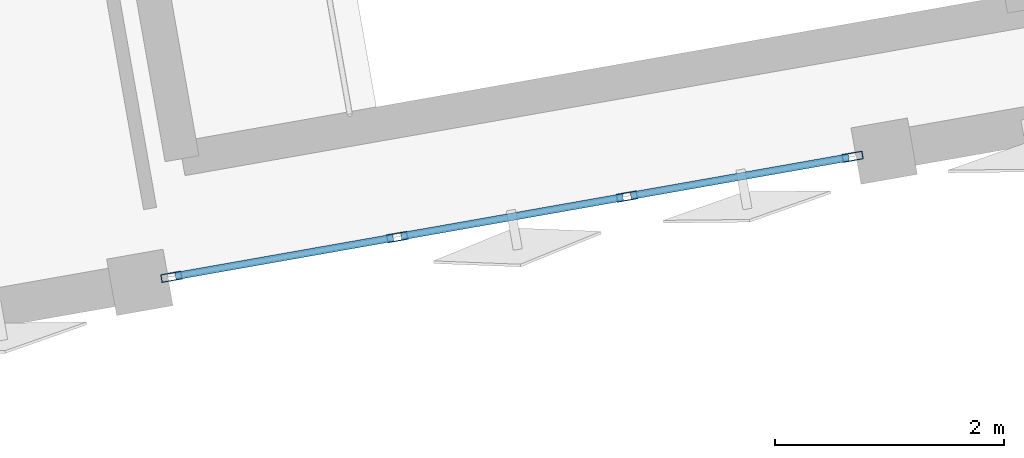
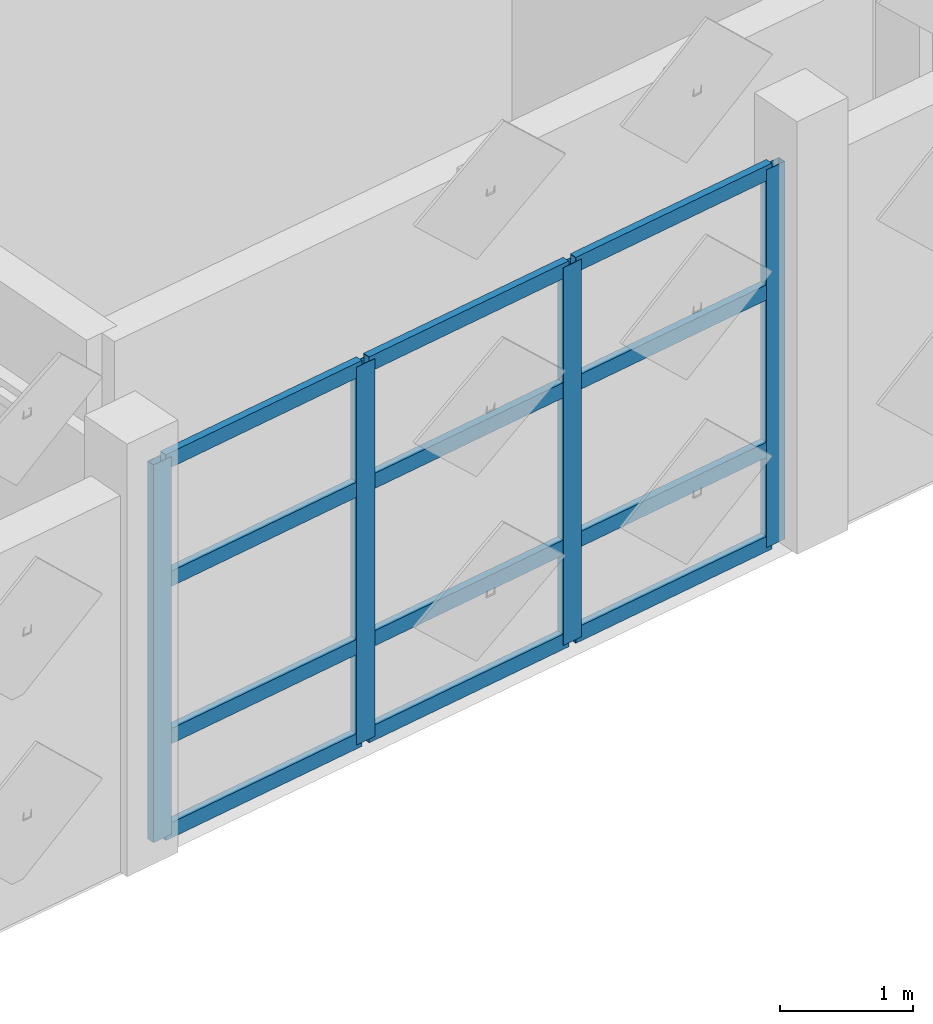
# One storey, part 3 of 11: 16 members, 1 element without a shape of its own.
"""IFC4 building model written with IfcOpenShell, lengths in metres."""

import ifcopenshell
import ifcopenshell.guid

model = None  # the IFC model being written
_history = None  # IfcOwnerHistory: only IFC2X3 demands one
_inside = {}  # id of a spatial element -> (the spatial element, [elements in it])
_under = {}  # id of a project, library or spatial element -> (it, [spatial elements below it])
_declared = {}  # id of a project -> (the project, [libraries it declares])
_typed = {}  # id of a type object -> (the type object, [elements of that type])
_made_of = {}  # id of a material, layer set ... -> (it, [elements and type objects made of it])


def new_model(schema):
    """Start an empty IFC model of exactly this schema.

    Asked for "IFC4X3", IfcOpenShell would pick the latest addendum, in which some entities
    have other attributes; the version numbers below select the first issue.
    IFC2X3 requires an IfcOwnerHistory on every rooted entity: one is made here for all.
    """
    global model, _history
    if schema == "IFC4X3":
        model = ifcopenshell.file(schema_version=(4, 3, 0, 0))
    else:
        model = ifcopenshell.file(schema=schema)
    _inside.clear()
    _under.clear()
    _declared.clear()
    _typed.clear()
    _made_of.clear()
    _history = None
    if model.schema == "IFC2X3":
        org = make("IfcOrganization", Name="unknown")
        user = make(
            "IfcPersonAndOrganization",
            ThePerson=make("IfcPerson", FamilyName="unknown"),
            TheOrganization=org,
        )
        app = make(
            "IfcApplication",
            ApplicationDeveloper=org,
            Version="unknown",
            ApplicationFullName="unknown",
            ApplicationIdentifier="unknown",
        )
        _history = make(
            "IfcOwnerHistory",
            OwningUser=user,
            OwningApplication=app,
            ChangeAction="ADDED",
            CreationDate=0,
        )
    return model


def make(cls, **values):
    """One entity of the class cls with the attributes given. An attribute that is None is left unset."""
    return model.create_entity(
        cls, **{name: value for name, value in values.items() if value is not None}
    )


def rooted(cls, **values):
    """An entity with a GlobalId (a new one), such as an element, a storey or a relation."""
    return make(cls, GlobalId=ifcopenshell.guid.new(), OwnerHistory=_history, **values)


def si_unit(unit_type, name, prefix=None):
    """IfcSIUnit, for example si_unit("LENGTHUNIT", "METRE", prefix="MILLI")."""
    return make("IfcSIUnit", UnitType=unit_type, Prefix=prefix, Name=name)


def assignment(units):
    """IfcUnitAssignment: the units of a project."""
    return None if units is None else make("IfcUnitAssignment", Units=units)


def point(xyz):
    """IfcCartesianPoint."""
    return None if xyz is None else make("IfcCartesianPoint", Coordinates=xyz)


def direction(xyz):
    """IfcDirection."""
    return None if xyz is None else make("IfcDirection", DirectionRatios=xyz)


def frame(location, z_axis=None, x_axis=None):
    """IfcAxis2Placement3D, a coordinate frame: its origin and axes. An axis left out is left unset."""
    return make(
        "IfcAxis2Placement3D",
        Location=point(location),
        Axis=direction(z_axis),
        RefDirection=direction(x_axis),
    )


def frame_2d(location, x_axis=None):
    """IfcAxis2Placement2D, a coordinate frame in the plane: its origin and x axis."""
    return make(
        "IfcAxis2Placement2D", Location=point(location), RefDirection=direction(x_axis)
    )


def origin():
    """The frame at (0, 0, 0) with its axes left unset."""
    return frame((0.0, 0.0, 0.0))


def origin_2d():
    """The frame at (0, 0) in the plane with its x axis left unset."""
    return frame_2d((0.0, 0.0))


def place(relative_to, where):
    """IfcLocalPlacement: puts the frame where relative to a parent placement (None: the world)."""
    return make(
        "IfcLocalPlacement", PlacementRelTo=relative_to, RelativePlacement=where
    )


def context(
    kind, dimensions, precision=None, world=None, true_north=None, identifier=None
):
    """IfcGeometricRepresentationContext, for example the 3D "Model" context."""
    return make(
        "IfcGeometricRepresentationContext",
        ContextIdentifier=identifier,
        ContextType=kind,
        CoordinateSpaceDimension=dimensions,
        Precision=precision,
        WorldCoordinateSystem=world,
        TrueNorth=true_north,
    )


def subcontext(parent, identifier, kind, view, scale=None):
    """IfcGeometricRepresentationSubContext, for example "Body" below "Model"."""
    return make(
        "IfcGeometricRepresentationSubContext",
        ContextIdentifier=identifier,
        ContextType=kind,
        ParentContext=parent,
        TargetScale=scale,
        TargetView=view,
    )


def project(units=None, contexts=None):
    """IfcProject with its units and contexts."""
    return rooted(
        "IfcProject",
        Name="project",
        RepresentationContexts=contexts,
        UnitsInContext=assignment(units),
    )


def spatial(cls, under=None, at=None, **own):
    """A site, building, storey or space (cls), placed at a placement, below another one or the project."""
    s = rooted(cls, ObjectPlacement=at, **own)
    if under is not None:
        _under.setdefault(under.id(), (under, []))[1].append(s)
    return s


def profile(cls, at=None, kind="AREA", **sizes):
    """A parametric profile (cls). Its sizes go by their IFC names, for example OverallWidth=200.0."""
    return make(cls, ProfileType=kind, Position=at, **sizes)


def hollow_rectangle(**sizes):
    """IfcRectangleHollowProfileDef."""
    return profile("IfcRectangleHollowProfileDef", **sizes)


def extrude(swept, where, along, depth):
    """IfcExtrudedAreaSolid: the profile swept, set in the frame where, extruded along a direction by depth."""
    return make(
        "IfcExtrudedAreaSolid",
        SweptArea=swept,
        Position=where,
        ExtrudedDirection=direction(along),
        Depth=depth,
    )


def shape(context_of_items, identifier, shape_type, items):
    """IfcShapeRepresentation: the items that make up one representation, for example the "Body"."""
    return make(
        "IfcShapeRepresentation",
        ContextOfItems=context_of_items,
        RepresentationIdentifier=identifier,
        RepresentationType=shape_type,
        Items=items,
    )


def material(Name=None, Category=None):
    """IfcMaterial."""
    return make("IfcMaterial", Name=Name, Category=Category)


def layer(
    of_material, thickness, ventilated=None, Name=None, Category=None, Priority=None
):
    """IfcMaterialLayer: one layer of a wall or slab, of a material (None: an air gap)."""
    return make(
        "IfcMaterialLayer",
        Material=of_material,
        LayerThickness=thickness,
        IsVentilated=ventilated,
        Name=Name,
        Category=Category,
        Priority=Priority,
    )


def layer_set(layers, Name=None):
    """IfcMaterialLayerSet."""
    return make("IfcMaterialLayerSet", MaterialLayers=layers, LayerSetName=Name)


def material_profile(
    of_material, cross_section, Name=None, Category=None, Priority=None
):
    """IfcMaterialProfile: a cross section and its material."""
    return make(
        "IfcMaterialProfile",
        Name=Name,
        Material=of_material,
        Profile=cross_section,
        Priority=Priority,
        Category=Category,
    )


def profile_set(profiles, Name=None, composite=None):
    """IfcMaterialProfileSet."""
    return make(
        "IfcMaterialProfileSet",
        Name=Name,
        MaterialProfiles=profiles,
        CompositeProfile=composite,
    )


def made_of(thing, what):
    """Note that an element or type object is made of a material, layer set ...; save() writes the relation."""
    if what is not None:
        _made_of.setdefault(what.id(), (what, []))[1].append(thing)
    return thing


def type_object(cls, material=None, **own):
    """A type object (cls), such as IfcWallType, which elements share."""
    return made_of(rooted(cls, **own), material)


def element(
    cls,
    number,
    at=None,
    inside=None,
    cuts=None,
    type_object=None,
    material=None,
    context=None,
    identifier="Body",
    shape_type=None,
    held_by="IfcProductDefinitionShape",
    body=None,
    shapes=None,
    **own,
):
    """One element of the class cls, such as IfcWall. Its Tag is "e" and its number.

    at: its placement. inside: the storey or other place that contains it. cuts: it is an
    opening in that element (IfcRelVoidsElement). A single representation is given by context,
    identifier, shape_type and body (its items); several are given by shapes. held_by: the class
    of the entity that holds the representations. save() writes the other relations.
    """
    e = rooted(cls, Tag="e%d" % number, ObjectPlacement=at, **own)
    if body is not None:
        shapes = [shape(context, identifier, shape_type, body)]
    if shapes is not None:
        e.Representation = make(held_by, Representations=shapes)
    if inside is not None:
        _inside.setdefault(inside.id(), (inside, []))[1].append(e)
    if cuts is not None:
        rooted(
            "IfcRelVoidsElement", RelatingBuildingElement=cuts, RelatedOpeningElement=e
        )
    if type_object is not None:
        _typed.setdefault(type_object.id(), (type_object, []))[1].append(e)
    return made_of(e, material)


def aggregate(whole, parts):
    """IfcRelAggregates: a whole, such as a stair, and the parts it consists of."""
    return rooted("IfcRelAggregates", RelatingObject=whole, RelatedObjects=parts)


def save(model, path):
    """Write the relations noted so far, then the file.

    IfcRelAggregates (storeys below a building ...), IfcRelContainedInSpatialStructure (elements
    in a storey), IfcRelDefinesByType, IfcRelAssociatesMaterial and IfcRelDeclares: one each for
    every whole, place, type object, material and project.
    """
    for whole, parts in _under.values():
        aggregate(whole, parts)
    for where, things in _inside.values():
        rooted(
            "IfcRelContainedInSpatialStructure",
            RelatedElements=things,
            RelatingStructure=where,
        )
    for kind, things in _typed.values():
        rooted("IfcRelDefinesByType", RelatedObjects=things, RelatingType=kind)
    for what, things in _made_of.values():
        rooted("IfcRelAssociatesMaterial", RelatedObjects=things, RelatingMaterial=what)
    for by, libraries in _declared.values():
        rooted("IfcRelDeclares", RelatingContext=by, RelatedDefinitions=libraries)
    model.write(path)


model = new_model("IFC4")

# Units and contexts
model_context = context("Model", 3, precision=1e-05, world=origin(), true_north=direction((0.0, 1.0)))
body_context = subcontext(model_context, "Body", "Model", "MODEL_VIEW")
ifc_project = project(units=[si_unit("LENGTHUNIT", "METRE"), si_unit("AREAUNIT", "SQUARE_METRE"), si_unit("VOLUMEUNIT", "CUBIC_METRE"), si_unit("PLANEANGLEUNIT", "RADIAN"), si_unit("MASSUNIT", "GRAM", prefix="KILO")], contexts=[model_context])

# Site, building, storey
site_placement = place(None, origin())
site = spatial("IfcSite", under=ifc_project, at=site_placement, CompositionType="ELEMENT")
building_placement = place(site_placement, origin())
building = spatial("IfcBuilding", under=site, at=building_placement, Name="Kharisveld Research Institute", CompositionType="ELEMENT")
storey_placement = place(building_placement, frame((0.0, 0.0, 49.199951171875)))
storey = spatial("IfcBuildingStorey", under=building, at=storey_placement, Name="L11", CompositionType="ELEMENT", Elevation=49.199951171875)

# Curtain wall, members
ifc_material_1 = material(Name="Thermally Broken Aluminium Curtain Wall", Category="aluminium")
ifc_layer = layer(ifc_material_1, 0.159912109375)
ifc_layer_set = layer_set([ifc_layer], Name="CW_SYS_06")
curtain_wall_type = type_object("IfcCurtainWallType", Name="CW_SYS_06", PredefinedType="NOTDEFINED", material=ifc_layer_set)
curtain_wall_placement = place(storey_placement, origin())
curtain_wall = element("IfcCurtainWall", 1, at=curtain_wall_placement, inside=storey, type_object=curtain_wall_type, Name="CW:V1:L11:S3", PredefinedType="NOTDEFINED")
ifc_material_2 = material(Name="Anodised Aluminium AW-6063-T6", Category="aluminium")
ifc_material_profile_1 = material_profile(ifc_material_2, hollow_rectangle(XDim=0.070068359375, YDim=0.179931640625, WallThickness=0.00439453125, at=origin_2d()))
ifc_profile_set_1 = profile_set([ifc_material_profile_1], Name="Anodised Aluminium AW-6063-T6")
member_type_1 = type_object("IfcMemberType", Name="CW_MUL_180", PredefinedType="MULLION", material=ifc_profile_set_1)
member_1_placement = place(storey_placement, frame((24.42333984375, 38.399658203125, 0.0), z_axis=(0.0, 0.0, 1.0), x_axis=(0.173648102039, -0.984807766347, 0.0)))
member_1 = element("IfcMember", 2, at=member_1_placement, type_object=member_type_1, Name="CW-06 mullion 1", PredefinedType="MULLION", context=body_context, shape_type="SweptSolid", body=[
    extrude(hollow_rectangle(XDim=0.070068359375, YDim=0.179931640625, WallThickness=0.00439453125, at=origin_2d()), origin(), (0.0, 0.0, 1.0), 3.47998046875),
])
member_2_placement = place(storey_placement, frame((22.4521484375, 38.052001953125, 0.0), z_axis=(0.0, 0.0, 1.0), x_axis=(0.173648102039, -0.984807766347, 0.0)))
member_2 = element("IfcMember", 3, at=member_2_placement, type_object=member_type_1, Name="CW-06 mullion 2", PredefinedType="MULLION", context=body_context, shape_type="SweptSolid", body=[
    extrude(hollow_rectangle(XDim=0.070068359375, YDim=0.179931640625, WallThickness=0.00439453125, at=origin_2d()), origin(), (0.0, 0.0, 1.0), 3.47998046875),
])
member_3_placement = place(storey_placement, frame((20.446533203125, 37.6982421875, 0.0), z_axis=(0.0, 0.0, 1.0), x_axis=(0.173648102039, -0.984807766347, 0.0)))
member_3 = element("IfcMember", 4, at=member_3_placement, type_object=member_type_1, Name="CW-06 mullion 3", PredefinedType="MULLION", context=body_context, shape_type="SweptSolid", body=[
    extrude(hollow_rectangle(XDim=0.070068359375, YDim=0.179931640625, WallThickness=0.00439453125, at=origin_2d()), origin(), (0.0, 0.0, 1.0), 3.47998046875),
])
member_4_placement = place(storey_placement, frame((18.47509765625, 37.350830078125, 0.0), z_axis=(0.0, 0.0, 1.0), x_axis=(0.173648102039, -0.984807766347, 0.0)))
member_4 = element("IfcMember", 5, at=member_4_placement, type_object=member_type_1, Name="CW-06 mullion 4", PredefinedType="MULLION", context=body_context, shape_type="SweptSolid", body=[
    extrude(hollow_rectangle(XDim=0.070068359375, YDim=0.179931640625, WallThickness=0.00439453125, at=origin_2d()), origin(), (0.0, 0.0, 1.0), 3.47998046875),
])
ifc_material_3 = material(Name="Anodised Aluminium AW-6063-T6", Category="aluminium")
ifc_material_profile_2 = material_profile(ifc_material_3, hollow_rectangle(XDim=0.06494140625, YDim=0.139892578125, WallThickness=0.00390625, at=origin_2d()))
ifc_profile_set_2 = profile_set([ifc_material_profile_2], Name="Anodised Aluminium AW-6063-T6")
member_type_2 = type_object("IfcMemberType", Name="CW_TRN_140", PredefinedType="USERDEFINED", material=ifc_profile_set_2)
member_5_placement = place(storey_placement, frame((24.388916015625, 38.3935546875, 0.032470703125), z_axis=(-0.984806452584, -0.173655552599, 0.0), x_axis=(0.173655552599, -0.984806452584, 0.0)))
member_5 = element("IfcMember", 6, at=member_5_placement, type_object=member_type_2, Name="CW-06 transom 1.1", ObjectType="TRANSOM", PredefinedType="USERDEFINED", context=body_context, shape_type="SweptSolid", body=[
    extrude(hollow_rectangle(XDim=0.06494140625, YDim=0.139892578125, WallThickness=0.00390625, at=origin_2d()), origin(), (0.0, 0.0, 1.0), 1.931640625),
])
member_6_placement = place(storey_placement, frame((24.388916015625, 38.3935546875, 0.900146484375), z_axis=(-0.984806452584, -0.173655552599, 0.0), x_axis=(0.173655552599, -0.984806452584, 0.0)))
member_6 = element("IfcMember", 7, at=member_6_placement, type_object=member_type_2, Name="CW-06 transom 1.2", ObjectType="TRANSOM", PredefinedType="USERDEFINED", context=body_context, shape_type="SweptSolid", body=[
    extrude(hollow_rectangle(XDim=0.06494140625, YDim=0.139892578125, WallThickness=0.00390625, at=origin_2d()), origin(), (0.0, 0.0, 1.0), 1.931640625),
])
member_7_placement = place(storey_placement, frame((24.388916015625, 38.3935546875, 2.35009765625), z_axis=(-0.984806452584, -0.173655552599, 0.0), x_axis=(0.173655552599, -0.984806452584, 0.0)))
member_7 = element("IfcMember", 8, at=member_7_placement, type_object=member_type_2, Name="CW-06 transom 1.3", ObjectType="TRANSOM", PredefinedType="USERDEFINED", context=body_context, shape_type="SweptSolid", body=[
    extrude(hollow_rectangle(XDim=0.06494140625, YDim=0.139892578125, WallThickness=0.00390625, at=origin_2d()), origin(), (0.0, 0.0, 1.0), 1.931640625),
])
member_8_placement = place(storey_placement, frame((24.388916015625, 38.3935546875, 3.447509765625), z_axis=(-0.984806452584, -0.173655552599, 0.0), x_axis=(0.173655552599, -0.984806452584, 0.0)))
member_8 = element("IfcMember", 9, at=member_8_placement, type_object=member_type_2, Name="CW-06 transom 1.4", ObjectType="TRANSOM", PredefinedType="USERDEFINED", context=body_context, shape_type="SweptSolid", body=[
    extrude(hollow_rectangle(XDim=0.06494140625, YDim=0.139892578125, WallThickness=0.00390625, at=origin_2d()), origin(), (0.0, 0.0, 1.0), 1.931640625),
])
member_9_placement = place(storey_placement, frame((22.417724609375, 38.0458984375, 0.032470703125), z_axis=(-0.984803548023, -0.173672023659, 0.0), x_axis=(0.173672023659, -0.984803548023, 0.0)))
member_9 = element("IfcMember", 10, at=member_9_placement, type_object=member_type_2, Name="CW-06 transom 2.1", ObjectType="TRANSOM", PredefinedType="USERDEFINED", context=body_context, shape_type="SweptSolid", body=[
    extrude(hollow_rectangle(XDim=0.06494140625, YDim=0.139892578125, WallThickness=0.00390625, at=origin_2d()), origin(), (0.0, 0.0, 1.0), 1.966552734375),
])
member_10_placement = place(storey_placement, frame((22.417724609375, 38.0458984375, 0.900146484375), z_axis=(-0.984803548023, -0.173672023659, 0.0), x_axis=(0.173672023659, -0.984803548023, 0.0)))
member_10 = element("IfcMember", 11, at=member_10_placement, type_object=member_type_2, Name="CW-06 transom 2.2", ObjectType="TRANSOM", PredefinedType="USERDEFINED", context=body_context, shape_type="SweptSolid", body=[
    extrude(hollow_rectangle(XDim=0.06494140625, YDim=0.139892578125, WallThickness=0.00390625, at=origin_2d()), origin(), (0.0, 0.0, 1.0), 1.966552734375),
])
member_11_placement = place(storey_placement, frame((22.417724609375, 38.0458984375, 2.35009765625), z_axis=(-0.984803548023, -0.173672023659, 0.0), x_axis=(0.173672023659, -0.984803548023, 0.0)))
member_11 = element("IfcMember", 12, at=member_11_placement, type_object=member_type_2, Name="CW-06 transom 2.3", ObjectType="TRANSOM", PredefinedType="USERDEFINED", context=body_context, shape_type="SweptSolid", body=[
    extrude(hollow_rectangle(XDim=0.06494140625, YDim=0.139892578125, WallThickness=0.00390625, at=origin_2d()), origin(), (0.0, 0.0, 1.0), 1.966552734375),
])
member_12_placement = place(storey_placement, frame((22.417724609375, 38.0458984375, 3.447509765625), z_axis=(-0.984803548023, -0.173672023659, 0.0), x_axis=(0.173672023659, -0.984803548023, 0.0)))
member_12 = element("IfcMember", 13, at=member_12_placement, type_object=member_type_2, Name="CW-06 transom 2.4", ObjectType="TRANSOM", PredefinedType="USERDEFINED", context=body_context, shape_type="SweptSolid", body=[
    extrude(hollow_rectangle(XDim=0.06494140625, YDim=0.139892578125, WallThickness=0.00390625, at=origin_2d()), origin(), (0.0, 0.0, 1.0), 1.966552734375),
])
member_13_placement = place(storey_placement, frame((20.412109375, 37.6923828125, 0.032470703125), z_axis=(-0.984806452584, -0.173655552599, 0.0), x_axis=(0.173655552599, -0.984806452584, 0.0)))
member_13 = element("IfcMember", 14, at=member_13_placement, type_object=member_type_2, Name="CW-06 transom 3.1", ObjectType="TRANSOM", PredefinedType="USERDEFINED", context=body_context, shape_type="SweptSolid", body=[
    extrude(hollow_rectangle(XDim=0.06494140625, YDim=0.139892578125, WallThickness=0.00390625, at=origin_2d()), origin(), (0.0, 0.0, 1.0), 1.931640625),
])
member_14_placement = place(storey_placement, frame((20.412109375, 37.6923828125, 0.900146484375), z_axis=(-0.984806452584, -0.173655552599, 0.0), x_axis=(0.173655552599, -0.984806452584, 0.0)))
member_14 = element("IfcMember", 15, at=member_14_placement, type_object=member_type_2, Name="CW-06 transom 3.2", ObjectType="TRANSOM", PredefinedType="USERDEFINED", context=body_context, shape_type="SweptSolid", body=[
    extrude(hollow_rectangle(XDim=0.06494140625, YDim=0.139892578125, WallThickness=0.00390625, at=origin_2d()), origin(), (0.0, 0.0, 1.0), 1.931640625),
])
member_15_placement = place(storey_placement, frame((20.412109375, 37.6923828125, 2.35009765625), z_axis=(-0.984806452584, -0.173655552599, 0.0), x_axis=(0.173655552599, -0.984806452584, 0.0)))
member_15 = element("IfcMember", 16, at=member_15_placement, type_object=member_type_2, Name="CW-06 transom 3.3", ObjectType="TRANSOM", PredefinedType="USERDEFINED", context=body_context, shape_type="SweptSolid", body=[
    extrude(hollow_rectangle(XDim=0.06494140625, YDim=0.139892578125, WallThickness=0.00390625, at=origin_2d()), origin(), (0.0, 0.0, 1.0), 1.931640625),
])
member_16_placement = place(storey_placement, frame((20.412109375, 37.6923828125, 3.447509765625), z_axis=(-0.984806452584, -0.173655552599, 0.0), x_axis=(0.173655552599, -0.984806452584, 0.0)))
member_16 = element("IfcMember", 17, at=member_16_placement, type_object=member_type_2, Name="CW-06 transom 3.4", ObjectType="TRANSOM", PredefinedType="USERDEFINED", context=body_context, shape_type="SweptSolid", body=[
    extrude(hollow_rectangle(XDim=0.06494140625, YDim=0.139892578125, WallThickness=0.00390625, at=origin_2d()), origin(), (0.0, 0.0, 1.0), 1.931640625),
])
aggregate(curtain_wall, [member_1, member_2, member_3, member_4, member_5, member_6, member_7, member_8, member_9, member_10, member_11, member_12, member_13, member_14, member_15, member_16])

save(model, "model.ifc")
